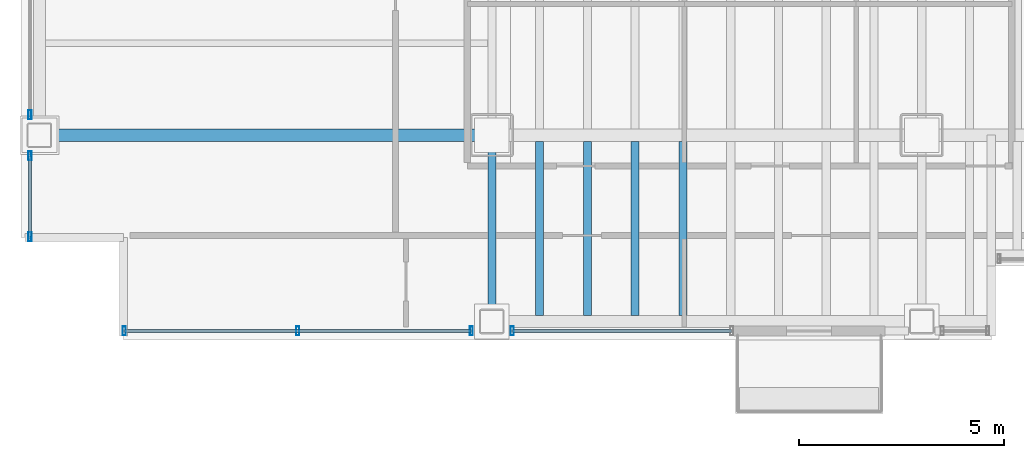
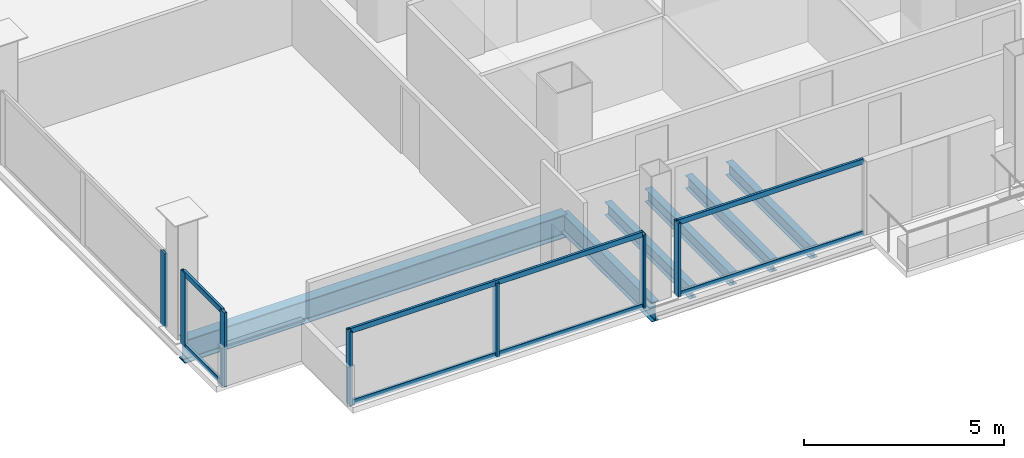
# One storey, part 2 of 21: 13 members, 6 beams, 4 elements without a shape of their own.
"""IFC4 building model written with IfcOpenShell, lengths in metres."""

from ifc_helpers import new_model, si_unit, direction, frame, origin, origin_2d, place, context, subcontext, project, spatial, hollow_rectangle, i_section, extrude, material, material_profile, profile_set, type_object, element, aggregate, save


model = new_model("IFC4")

# Units and contexts
model_context = context("Model", 3, precision=1e-05, world=origin(), true_north=direction((0.0, 1.0)))
body_context = subcontext(model_context, "Body", "Model", "MODEL_VIEW")
ifc_project = project(units=[si_unit("LENGTHUNIT", "METRE"), si_unit("AREAUNIT", "SQUARE_METRE"), si_unit("VOLUMEUNIT", "CUBIC_METRE"), si_unit("PLANEANGLEUNIT", "RADIAN"), si_unit("MASSUNIT", "GRAM", prefix="KILO")], contexts=[model_context])

# Site, building, storey
site_placement = place(None, origin())
site = spatial("IfcSite", under=ifc_project, at=site_placement, CompositionType="ELEMENT")
building_placement = place(site_placement, origin())
building = spatial("IfcBuilding", under=site, at=building_placement, Name="Noeulbin Bourse Tower", CompositionType="ELEMENT")
storey_placement = place(building_placement, frame((0.0, 0.0, 49.89990234375)))
storey = spatial("IfcBuildingStorey", under=building, at=storey_placement, Name="L12", CompositionType="ELEMENT", Elevation=49.89990234375)

# Beams
ifc_material_1 = material(Name="Steel S355", Category="steel")
ifc_material_profile_1 = material_profile(ifc_material_1, i_section(OverallWidth=0.199951171875, OverallDepth=0.60009765625, WebThickness=0.010986328125, FlangeThickness=0.01708984375, FilletRadius=0.02197265625, at=origin_2d()), Name="H-600x200x11x17", Category="LoadBearing")
ifc_profile_set_1 = profile_set([ifc_material_profile_1], Name="Steel S355")
beam_type_1 = type_object("IfcBeamType", Name="BM-GRD-600", PredefinedType="USERDEFINED", material=ifc_profile_set_1)
beam_1_placement = place(storey_placement, frame((13.5, 15.449951171875, -0.47998046875), z_axis=(0.0, 1.0, 0.0), x_axis=(-1.0, 0.0, 0.0)))
element("IfcBeam", 1, at=beam_1_placement, inside=storey, type_object=beam_type_1, Name="Tower Primary Girder NS L12-1.1", ObjectType="GIRDER", PredefinedType="USERDEFINED", context=body_context, shape_type="SweptSolid", body=[
    extrude(i_section(OverallWidth=0.199951171875, OverallDepth=0.60009765625, WebThickness=0.010986328125, FlangeThickness=0.01708984375, FilletRadius=0.02197265625, at=origin_2d()), origin(), (0.0, 0.0, 1.0), 4.550048828125),
])
ifc_material_profile_2 = material_profile(ifc_material_1, i_section(OverallWidth=0.300048828125, OverallDepth=0.699951171875, WebThickness=0.012939453125, FlangeThickness=0.02392578125, FilletRadius=0.02392578125, at=origin_2d()), Name="H-700x300x13x24", Category="LoadBearing")
ifc_profile_set_2 = profile_set([ifc_material_profile_2], Name="Steel S355")
beam_type_2 = type_object("IfcBeamType", Name="BM-GRD-700", PredefinedType="USERDEFINED", material=ifc_profile_set_2)
beam_2_placement = place(storey_placement, frame((2.449951171875, 20.0, -0.52978515625), z_axis=(1.0, 0.0, 0.0), x_axis=(0.0, 1.0, 0.0)))
element("IfcBeam", 2, at=beam_2_placement, inside=storey, type_object=beam_type_2, Name="Tower Primary Girder EW L12-1.1", ObjectType="GIRDER", PredefinedType="USERDEFINED", context=body_context, shape_type="SweptSolid", body=[
    extrude(i_section(OverallWidth=0.300048828125, OverallDepth=0.699951171875, WebThickness=0.012939453125, FlangeThickness=0.02392578125, FilletRadius=0.02392578125, at=origin_2d()), origin(), (0.0, 0.0, 1.0), 11.050048828125),
])
ifc_material_profile_3 = material_profile(ifc_material_1, i_section(OverallWidth=0.199951171875, OverallDepth=0.39990234375, WebThickness=0.008056640625, FlangeThickness=0.012939453125, FilletRadius=0.01611328125, at=origin_2d()), Name="H-400x200x8x13", Category="LoadBearing")
ifc_profile_set_3 = profile_set([ifc_material_profile_3], Name="Steel S355")
beam_type_3 = type_object("IfcBeamType", Name="BM-SEC-400", PredefinedType="BEAM", material=ifc_profile_set_3)
for number, where, z_axis, x_axis, name in (
    (3, (14.666748046875, 15.60009765625, -0.3798828125), (0.0, 1.0, 0.0), (-1.0, 0.0, 0.0), "Tower Composite Joist L12-01"),
    (4, (15.833251953125, 15.60009765625, -0.3798828125), (0.0, 1.0, 0.0), (-1.0, 0.0, 0.0), "Tower Composite Joist L12-04"),
    (5, (17.0, 15.60009765625, -0.3798828125), (0.0, 1.0, 0.0), (-1.0, 0.0, 0.0), "Tower Composite Joist L12-07"),
    (6, (18.166748046875, 15.60009765625, -0.3798828125), (0.0, 1.0, 0.0), (-1.0, 0.0, 0.0), "Tower Composite Joist L12-10"),
):
    element("IfcBeam", number, at=place(storey_placement, frame(where, z_axis=z_axis, x_axis=x_axis)), inside=storey, type_object=beam_type_3, Name=name, PredefinedType="BEAM", context=body_context, shape_type="SweptSolid", body=[
        extrude(i_section(OverallWidth=0.199951171875, OverallDepth=0.39990234375, WebThickness=0.008056640625, FlangeThickness=0.012939453125, FilletRadius=0.01611328125, at=origin_2d()), origin(), (0.0, 0.0, 1.0), 4.25),
    ])

# Curtain wall, members
ifc_material_2 = material(Name="Dark Solar-Control Double Glazing", Category="glass")
curtain_wall_type = type_object("IfcCurtainWallType", Name="CW-SYS-2", PredefinedType="NOTDEFINED", material=ifc_material_2)
curtain_wall_1_placement = place(storey_placement, origin())
curtain_wall_1 = element("IfcCurtainWall", 7, at=curtain_wall_1_placement, inside=storey, type_object=curtain_wall_type, Name="Unitised Curtain Wall CW-L12-S1-S1", PredefinedType="NOTDEFINED")
ifc_material_3 = material(Name="Anodised Aluminium 6063-T6", Category="aluminium")
ifc_material_profile_4 = material_profile(ifc_material_3, hollow_rectangle(XDim=0.074951171875, YDim=0.219970703125, WallThickness=0.0048828125, InnerFilletRadius=0.00244140625, OuterFilletRadius=0.0048828125, at=origin_2d()), Name="ALU-MULL-75x220x5", Category="LoadBearing")
ifc_profile_set_4 = profile_set([ifc_material_profile_4], Name="Anodised Aluminium 6063-T6")
member_type_1 = type_object("IfcMemberType", Name="CW-SYS-2-MUL", PredefinedType="MULLION", material=ifc_profile_set_4)
member_1_placement = place(storey_placement, frame((4.52001953125, 15.219970703125, -0.02001953125), z_axis=(0.0, 0.0, 1.0), x_axis=(1.0, 0.0, 0.0)))
member_1 = element("IfcMember", 8, at=member_1_placement, type_object=member_type_1, Name="Curtain Wall Mullion CW-L12-S1-S1-M00", PredefinedType="MULLION", context=body_context, shape_type="SweptSolid", body=[
    extrude(hollow_rectangle(XDim=0.074951171875, YDim=0.219970703125, WallThickness=0.0048828125, InnerFilletRadius=0.00244140625, OuterFilletRadius=0.0048828125, at=origin_2d()), origin(), (0.0, 0.0, 1.0), 2.260009765625),
])
member_2_placement = place(storey_placement, frame((8.760009765625, 15.219970703125, -0.02001953125), z_axis=(0.0, 0.0, 1.0), x_axis=(1.0, 0.0, 0.0)))
member_2 = element("IfcMember", 9, at=member_2_placement, type_object=member_type_1, Name="Curtain Wall Mullion CW-L12-S1-S1-M01", PredefinedType="MULLION", context=body_context, shape_type="SweptSolid", body=[
    extrude(hollow_rectangle(XDim=0.074951171875, YDim=0.219970703125, WallThickness=0.0048828125, InnerFilletRadius=0.00244140625, OuterFilletRadius=0.0048828125, at=origin_2d()), origin(), (0.0, 0.0, 1.0), 2.260009765625),
])
member_3_placement = place(storey_placement, frame((13.0, 15.219970703125, -0.02001953125), z_axis=(0.0, 0.0, 1.0), x_axis=(1.0, 0.0, 0.0)))
member_3 = element("IfcMember", 10, at=member_3_placement, type_object=member_type_1, Name="Curtain Wall Mullion CW-L12-S1-S1-M02", PredefinedType="MULLION", context=body_context, shape_type="SweptSolid", body=[
    extrude(hollow_rectangle(XDim=0.074951171875, YDim=0.219970703125, WallThickness=0.0048828125, InnerFilletRadius=0.00244140625, OuterFilletRadius=0.0048828125, at=origin_2d()), origin(), (0.0, 0.0, 1.0), 2.260009765625),
])

# Curtain wall, member
curtain_wall_2_placement = place(storey_placement, origin())
curtain_wall_2 = element("IfcCurtainWall", 11, at=curtain_wall_2_placement, inside=storey, type_object=curtain_wall_type, Name="Unitised Curtain Wall CW-L12-S1-S2", PredefinedType="NOTDEFINED")
member_4_placement = place(storey_placement, frame((14.0, 15.219970703125, -0.02001953125), z_axis=(0.0, 0.0, 1.0), x_axis=(1.0, 0.0, 0.0)))
member_4 = element("IfcMember", 12, at=member_4_placement, type_object=member_type_1, Name="Curtain Wall Mullion CW-L12-S1-S2-M00", PredefinedType="MULLION", context=body_context, shape_type="SweptSolid", body=[
    extrude(hollow_rectangle(XDim=0.074951171875, YDim=0.219970703125, WallThickness=0.0048828125, InnerFilletRadius=0.00244140625, OuterFilletRadius=0.0048828125, at=origin_2d()), origin(), (0.0, 0.0, 1.0), 2.260009765625),
])

# Curtain wall, members
curtain_wall_3_placement = place(storey_placement, origin())
curtain_wall_3 = element("IfcCurtainWall", 13, at=curtain_wall_3_placement, inside=storey, type_object=curtain_wall_type, Name="Unitised Curtain Wall CW-L12-W-S1", PredefinedType="NOTDEFINED")
member_5_placement = place(storey_placement, frame((2.219970703125, 17.52001953125, -0.02001953125), z_axis=(0.0, 0.0, 1.0), x_axis=(1.0, 0.0, 0.0)))
member_5 = element("IfcMember", 14, at=member_5_placement, type_object=member_type_1, Name="Curtain Wall Mullion CW-L12-W-S1-M00", PredefinedType="MULLION", context=body_context, shape_type="SweptSolid", body=[
    extrude(hollow_rectangle(XDim=0.074951171875, YDim=0.219970703125, WallThickness=0.0048828125, InnerFilletRadius=0.00244140625, OuterFilletRadius=0.0048828125, at=origin_2d()), origin(), (0.0, 0.0, 1.0), 2.260009765625),
])
member_6_placement = place(storey_placement, frame((2.219970703125, 19.5, -0.02001953125), z_axis=(0.0, 0.0, 1.0), x_axis=(1.0, 0.0, 0.0)))
member_6 = element("IfcMember", 15, at=member_6_placement, type_object=member_type_1, Name="Curtain Wall Mullion CW-L12-W-S1-M01", PredefinedType="MULLION", context=body_context, shape_type="SweptSolid", body=[
    extrude(hollow_rectangle(XDim=0.074951171875, YDim=0.219970703125, WallThickness=0.0048828125, InnerFilletRadius=0.00244140625, OuterFilletRadius=0.0048828125, at=origin_2d()), origin(), (0.0, 0.0, 1.0), 2.260009765625),
])

# Curtain wall, member
curtain_wall_4_placement = place(storey_placement, origin())
curtain_wall_4 = element("IfcCurtainWall", 16, at=curtain_wall_4_placement, inside=storey, type_object=curtain_wall_type, Name="Unitised Curtain Wall CW-L12-W-S2", PredefinedType="NOTDEFINED")
member_7_placement = place(storey_placement, frame((2.219970703125, 20.5, -0.02001953125), z_axis=(0.0, 0.0, 1.0), x_axis=(1.0, 0.0, 0.0)))
member_7 = element("IfcMember", 17, at=member_7_placement, type_object=member_type_1, Name="Curtain Wall Mullion CW-L12-W-S2-M00", PredefinedType="MULLION", context=body_context, shape_type="SweptSolid", body=[
    extrude(hollow_rectangle(XDim=0.074951171875, YDim=0.219970703125, WallThickness=0.0048828125, InnerFilletRadius=0.00244140625, OuterFilletRadius=0.0048828125, at=origin_2d()), origin(), (0.0, 0.0, 1.0), 2.260009765625),
])
aggregate(curtain_wall_4, [member_7])

# Member
ifc_material_profile_5 = material_profile(ifc_material_3, hollow_rectangle(XDim=0.074951171875, YDim=0.159912109375, WallThickness=0.0048828125, InnerFilletRadius=0.00244140625, OuterFilletRadius=0.0048828125, at=origin_2d()), Name="ALU-TRAN-75x160x5", Category="LoadBearing")
ifc_profile_set_5 = profile_set([ifc_material_profile_5], Name="Anodised Aluminium 6063-T6")
member_type_2 = type_object("IfcMemberType", Name="CW-SYS-2-TRN", PredefinedType="USERDEFINED", material=ifc_profile_set_5)
member_8_placement = place(storey_placement, frame((4.530029296875, 15.219970703125, 0.010009765625), z_axis=(1.0, 0.0, 0.0), x_axis=(0.0, 1.0, 0.0)))
member_8 = element("IfcMember", 18, at=member_8_placement, type_object=member_type_2, Name="Curtain Wall Transom CW-L12-S1-S1-T00", ObjectType="TRANSOM", PredefinedType="USERDEFINED", context=body_context, shape_type="SweptSolid", body=[
    extrude(hollow_rectangle(XDim=0.074951171875, YDim=0.159912109375, WallThickness=0.0048828125, InnerFilletRadius=0.00244140625, OuterFilletRadius=0.0048828125, at=origin_2d()), origin(), (0.0, 0.0, 1.0), 8.4599609375),
])

member_9_placement = place(storey_placement, frame((4.530029296875, 15.219970703125, 2.210205078125), z_axis=(1.0, 0.0, 0.0), x_axis=(0.0, 1.0, 0.0)))
member_9 = element("IfcMember", 19, at=member_9_placement, type_object=member_type_2, Name="Curtain Wall Transom CW-L12-S1-S1-T01", ObjectType="TRANSOM", PredefinedType="USERDEFINED", context=body_context, shape_type="SweptSolid", body=[
    extrude(hollow_rectangle(XDim=0.074951171875, YDim=0.159912109375, WallThickness=0.0048828125, InnerFilletRadius=0.00244140625, OuterFilletRadius=0.0048828125, at=origin_2d()), origin(), (0.0, 0.0, 1.0), 8.4599609375),
])

aggregate(curtain_wall_1, [member_1, member_2, member_3, member_8, member_9])

member_10_placement = place(storey_placement, frame((14.010009765625, 15.219970703125, 0.010009765625), z_axis=(1.0, 0.0, 0.0), x_axis=(0.0, 1.0, 0.0)))
member_10 = element("IfcMember", 20, at=member_10_placement, type_object=member_type_2, Name="Curtain Wall Transom CW-L12-S1-S2-T00", ObjectType="TRANSOM", PredefinedType="USERDEFINED", context=body_context, shape_type="SweptSolid", body=[
    extrude(hollow_rectangle(XDim=0.074951171875, YDim=0.159912109375, WallThickness=0.0048828125, InnerFilletRadius=0.00244140625, OuterFilletRadius=0.0048828125, at=origin_2d()), origin(), (0.0, 0.0, 1.0), 5.340087890625),
])

member_11_placement = place(storey_placement, frame((14.010009765625, 15.219970703125, 2.210205078125), z_axis=(1.0, 0.0, 0.0), x_axis=(0.0, 1.0, 0.0)))
member_11 = element("IfcMember", 21, at=member_11_placement, type_object=member_type_2, Name="Curtain Wall Transom CW-L12-S1-S2-T01", ObjectType="TRANSOM", PredefinedType="USERDEFINED", context=body_context, shape_type="SweptSolid", body=[
    extrude(hollow_rectangle(XDim=0.074951171875, YDim=0.159912109375, WallThickness=0.0048828125, InnerFilletRadius=0.00244140625, OuterFilletRadius=0.0048828125, at=origin_2d()), origin(), (0.0, 0.0, 1.0), 5.340087890625),
])

aggregate(curtain_wall_2, [member_4, member_10, member_11])

member_12_placement = place(storey_placement, frame((2.219970703125, 17.530029296875, 0.010009765625), z_axis=(0.0, 1.0, 0.0), x_axis=(-1.0, 0.0, 0.0)))
member_12 = element("IfcMember", 22, at=member_12_placement, type_object=member_type_2, Name="Curtain Wall Transom CW-L12-W-S1-T00", ObjectType="TRANSOM", PredefinedType="USERDEFINED", context=body_context, shape_type="SweptSolid", body=[
    extrude(hollow_rectangle(XDim=0.074951171875, YDim=0.159912109375, WallThickness=0.0048828125, InnerFilletRadius=0.00244140625, OuterFilletRadius=0.0048828125, at=origin_2d()), origin(), (0.0, 0.0, 1.0), 1.9599609375),
])

member_13_placement = place(storey_placement, frame((2.219970703125, 17.530029296875, 2.210205078125), z_axis=(0.0, 1.0, 0.0), x_axis=(-1.0, 0.0, 0.0)))
member_13 = element("IfcMember", 23, at=member_13_placement, type_object=member_type_2, Name="Curtain Wall Transom CW-L12-W-S1-T01", ObjectType="TRANSOM", PredefinedType="USERDEFINED", context=body_context, shape_type="SweptSolid", body=[
    extrude(hollow_rectangle(XDim=0.074951171875, YDim=0.159912109375, WallThickness=0.0048828125, InnerFilletRadius=0.00244140625, OuterFilletRadius=0.0048828125, at=origin_2d()), origin(), (0.0, 0.0, 1.0), 1.9599609375),
])

aggregate(curtain_wall_3, [member_5, member_6, member_12, member_13])

save(model, "model.ifc")
